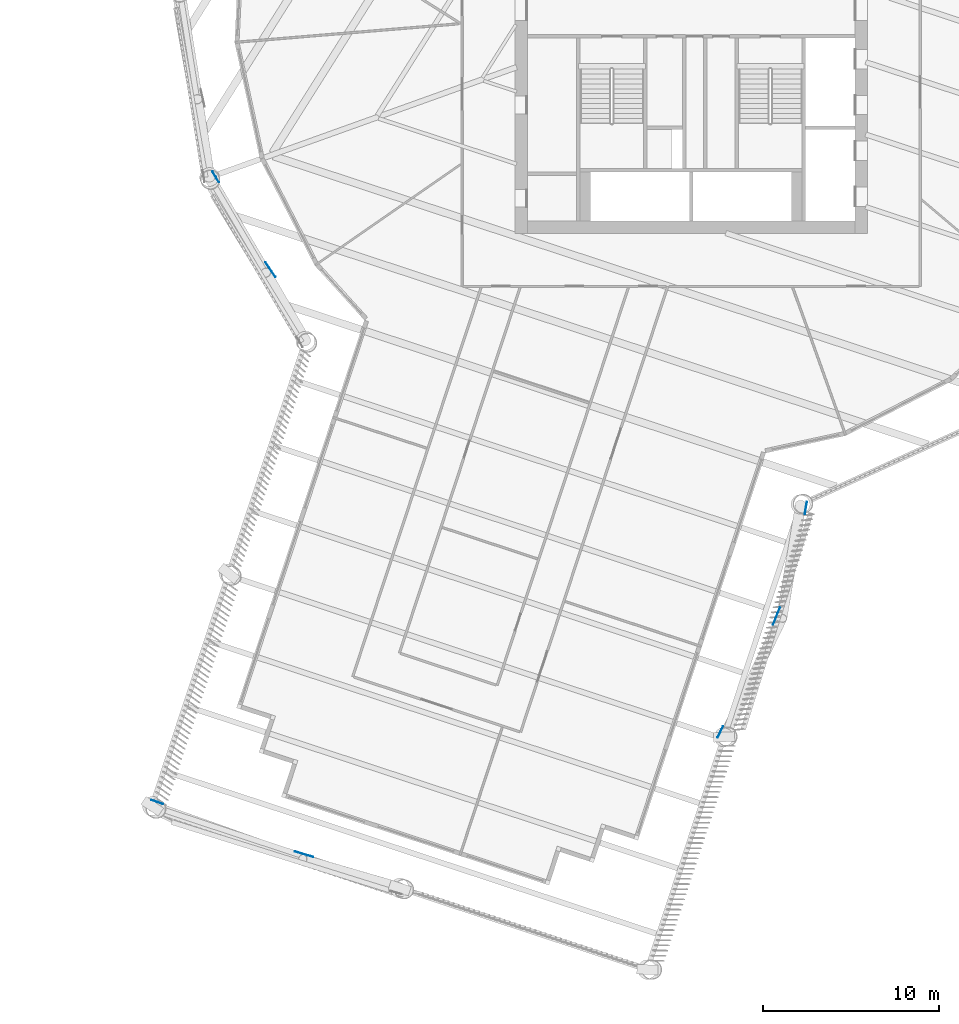
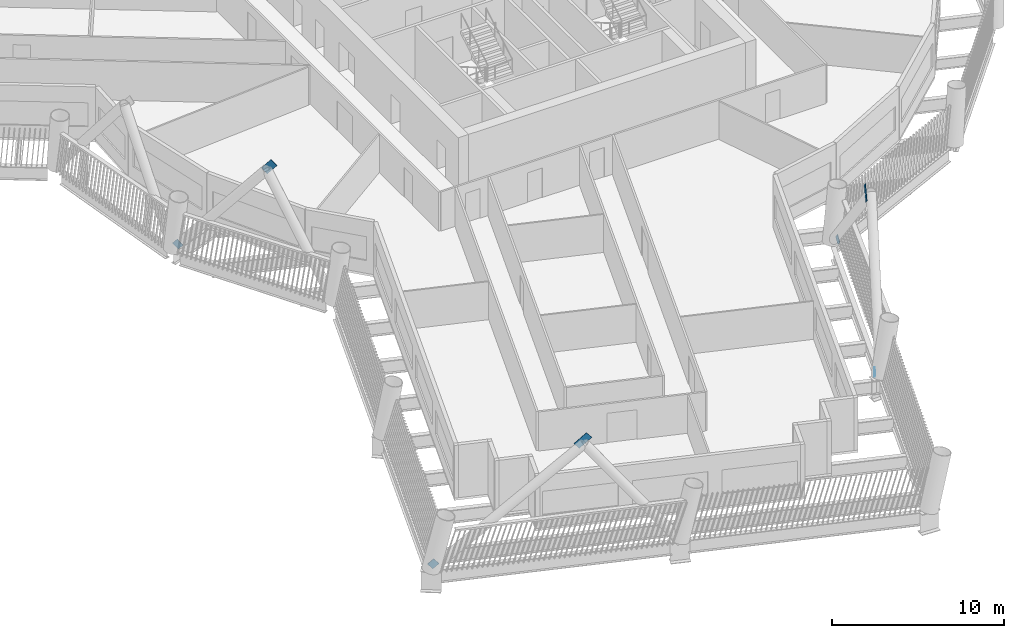
# One storey, part 8 of 22: 7 discrete accessories.
"""IFC4 building model written with IfcOpenShell, lengths in metres."""

from ifc_helpers import new_model, si_unit, direction, frame, origin, origin_2d, place, context, subcontext, project, spatial, rectangle, extrude, material, material_profile, profile_set, type_object, element, save


model = new_model("IFC4")

# Units and contexts
model_context = context("Model", 3, precision=1e-05, world=origin(), true_north=direction((0.0, 1.0)))
body_context = subcontext(model_context, "Body", "Model", "MODEL_VIEW")
ifc_project = project(units=[si_unit("LENGTHUNIT", "METRE"), si_unit("AREAUNIT", "SQUARE_METRE"), si_unit("VOLUMEUNIT", "CUBIC_METRE"), si_unit("PLANEANGLEUNIT", "RADIAN"), si_unit("MASSUNIT", "GRAM", prefix="KILO")], contexts=[model_context])

# Site, building, storey
site_placement = place(None, origin())
site = spatial("IfcSite", under=ifc_project, at=site_placement, CompositionType="ELEMENT")
building_placement = place(site_placement, origin())
building = spatial("IfcBuilding", under=site, at=building_placement, Name="Tarsis Ring Headquarters", CompositionType="ELEMENT")
storey_placement = place(building_placement, frame((0.0, 0.0, 147.60009765625)))
storey = spatial("IfcBuildingStorey", under=building, at=storey_placement, Name="L33", CompositionType="ELEMENT", Elevation=147.60009765625)

# Discrete accessories
ifc_material = material(Name="Structural steel S355", Category="steel")
ifc_material_profile = material_profile(ifc_material, rectangle(XDim=0.02490234375, YDim=0.5, at=origin_2d()), Name="PL 25x500")
ifc_profile_set = profile_set([ifc_material_profile], Name="Structural steel S355")
discrete_accessory_type = type_object("IfcDiscreteAccessoryType", Name="Gusset plate Exo brace 25", PredefinedType="BRACKET", material=ifc_profile_set)
discrete_accessory_1_placement = place(storey_placement, frame((-27.068115234375, -9.64990234375, 0.0), z_axis=(0.31887175707, -0.540079882572, 0.778867461757), x_axis=(0.861112472052, 0.508414506555, 0.0)))
element("IfcDiscreteAccessory", 1, at=discrete_accessory_1_placement, inside=storey, type_object=discrete_accessory_type, Name="Gusset plate GP5", PredefinedType="BRACKET", context=body_context, shape_type="SweptSolid", body=[
    extrude(rectangle(XDim=0.02490234375, YDim=0.5, at=origin_2d()), origin(), (0.0, 0.0, 1.0), 0.5),
])
discrete_accessory_2_placement = place(storey_placement, frame((-24.059326171875, -14.7841796875, 7.410400390625), z_axis=(0.349876487351, -0.520541989554, 0.778859731088), x_axis=(0.829948222269, 0.557840432698, 0.0)))
element("IfcDiscreteAccessory", 2, at=discrete_accessory_2_placement, inside=storey, type_object=discrete_accessory_type, Name="Gusset plate GP5", PredefinedType="BRACKET", context=body_context, shape_type="SweptSolid", body=[
    extrude(rectangle(XDim=0.02490234375, YDim=0.5, at=origin_2d()), origin(), (0.0, 0.0, 1.0), 1.0),
])
discrete_accessory_3_placement = place(storey_placement, frame((-30.4921875, -45.205078125, 0.0), z_axis=(0.714316426498, -0.253577445521, 0.652265683567), x_axis=(0.334539116273, 0.942381865107, 0.0)))
element("IfcDiscreteAccessory", 3, at=discrete_accessory_3_placement, inside=storey, type_object=discrete_accessory_type, Name="Gusset plate GP5", PredefinedType="BRACKET", context=body_context, shape_type="SweptSolid", body=[
    extrude(rectangle(XDim=0.02490234375, YDim=0.5, at=origin_2d()), origin(), (0.0, 0.0, 1.0), 0.499755859375),
])
discrete_accessory_4_placement = place(storey_placement, frame((-22.33203125, -48.12841796875, 7.4736328125), z_axis=(0.727277690801, -0.212641446354, 0.65257242951), x_axis=(0.280630924136, 0.959815755454, 0.0)))
element("IfcDiscreteAccessory", 4, at=discrete_accessory_4_placement, inside=storey, type_object=discrete_accessory_type, Name="Gusset plate GP5", PredefinedType="BRACKET", context=body_context, shape_type="SweptSolid", body=[
    extrude(rectangle(XDim=0.02490234375, YDim=0.5, at=origin_2d()), origin(), (0.0, 0.0, 1.0), 1.0),
])
discrete_accessory_5_placement = place(storey_placement, frame((1.58154296875, -41.437744140625, 0.0), z_axis=(0.302755994477, 0.623579685398, 0.720754593303), x_axis=(-0.899579335838, 0.436757390932, 0.0)))
element("IfcDiscreteAccessory", 5, at=discrete_accessory_5_placement, inside=storey, type_object=discrete_accessory_type, Name="Gusset plate GP5", PredefinedType="BRACKET", context=body_context, shape_type="SweptSolid", body=[
    extrude(rectangle(XDim=0.02490234375, YDim=0.5, at=origin_2d()), origin(), (0.0, 0.0, 1.0), 0.5),
])
discrete_accessory_6_placement = place(storey_placement, frame((4.71630859375, -35.029541015625, 7.438720703125), z_axis=(0.263867366406, 0.639286431653, 0.722278942826), x_axis=(-0.92435615244, 0.381530737223, 0.0)))
element("IfcDiscreteAccessory", 6, at=discrete_accessory_6_placement, inside=storey, type_object=discrete_accessory_type, Name="Gusset plate GP5", PredefinedType="BRACKET", context=body_context, shape_type="SweptSolid", body=[
    extrude(rectangle(XDim=0.02490234375, YDim=0.5, at=origin_2d()), origin(), (0.0, 0.0, 1.0), 1.000244140625),
])
discrete_accessory_7_placement = place(storey_placement, frame((6.535888671875, -28.426513671875, 0.0), z_axis=(-0.106454894193, -0.634334438331, 0.765693917862), x_axis=(0.986208629762, -0.165506914002, 0.0)))
element("IfcDiscreteAccessory", 7, at=discrete_accessory_7_placement, inside=storey, type_object=discrete_accessory_type, Name="Gusset plate GP5", PredefinedType="BRACKET", context=body_context, shape_type="SweptSolid", body=[
    extrude(rectangle(XDim=0.02490234375, YDim=0.5, at=origin_2d()), origin(), (0.0, 0.0, 1.0), 0.5),
])

save(model, "model.ifc")
